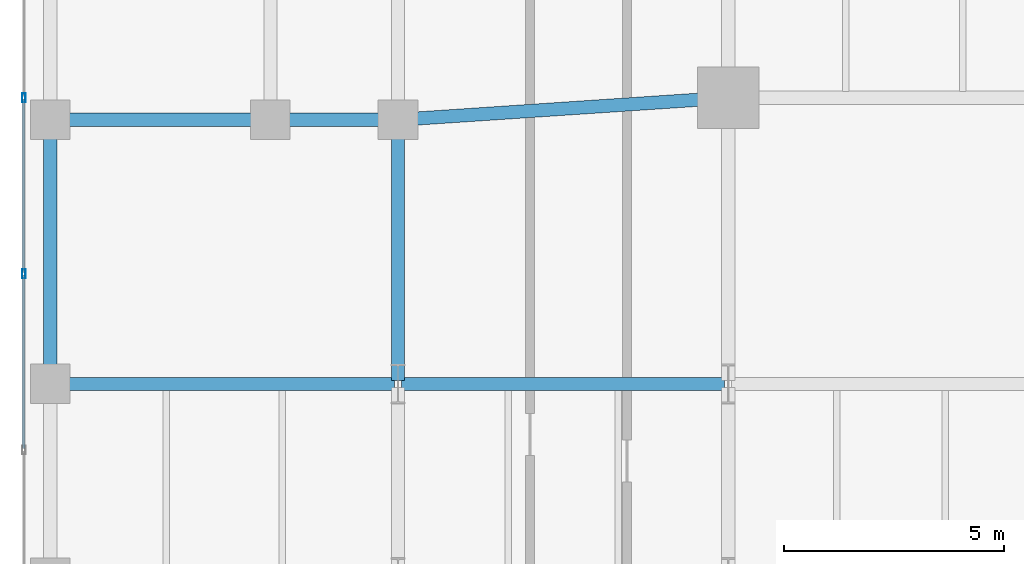
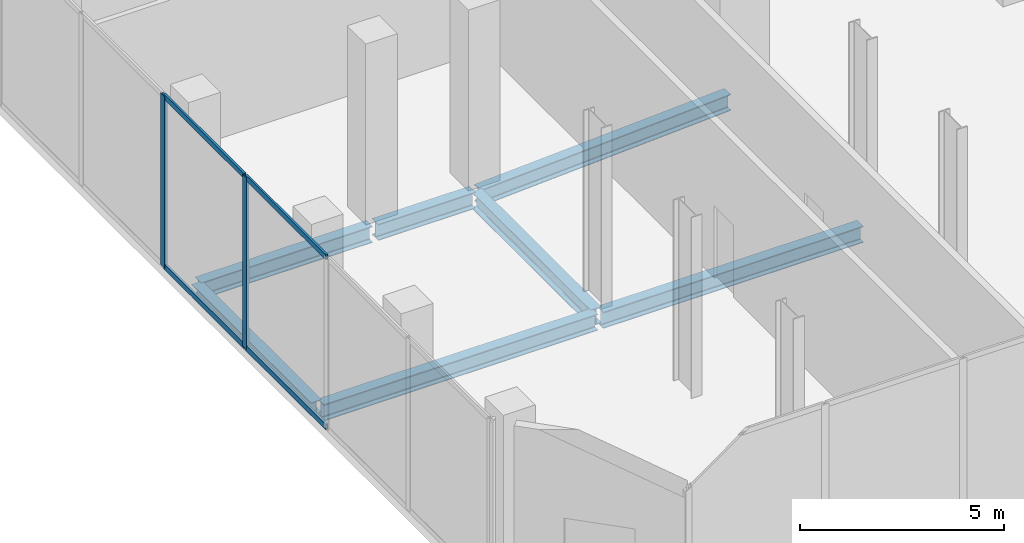
# One storey, part 6 of 24: 7 beams, 6 members, 1 element without a shape of its own.
"""IFC4 building model written with IfcOpenShell, lengths in metres."""

from ifc_helpers import new_model, si_unit, direction, frame, origin, origin_2d, place, context, subcontext, project, spatial, hollow_rectangle, i_section, extrude, material, layer, layer_set, material_profile, profile_set, type_object, element, aggregate, save


model = new_model("IFC4")

# Units and contexts
model_context = context("Model", 3, precision=1e-05, world=origin(), true_north=direction((0.0, 1.0)))
body_context = subcontext(model_context, "Body", "Model", "MODEL_VIEW")
ifc_project = project(units=[si_unit("LENGTHUNIT", "METRE"), si_unit("AREAUNIT", "SQUARE_METRE"), si_unit("VOLUMEUNIT", "CUBIC_METRE"), si_unit("PLANEANGLEUNIT", "RADIAN"), si_unit("MASSUNIT", "GRAM", prefix="KILO")], contexts=[model_context])

# Site, building, storey
site_placement = place(None, origin())
site = spatial("IfcSite", under=ifc_project, at=site_placement, CompositionType="ELEMENT")
building_placement = place(site_placement, origin())
building = spatial("IfcBuilding", under=site, at=building_placement, Name="Catumbela Crestline Tower", CompositionType="ELEMENT")
storey_placement = place(building_placement, frame((0.0, 0.0, 84.6)))
storey = spatial("IfcBuildingStorey", under=building, at=storey_placement, Name="L21", CompositionType="ELEMENT", Elevation=84.6)

# Beams
ifc_material_1 = material(Name="Structural steel S355J2", Category="steel")
ifc_material_profile_1 = material_profile(ifc_material_1, i_section(OverallWidth=0.3, OverallDepth=0.49, WebThickness=0.012, FlangeThickness=0.023, FilletRadius=0.027, at=origin_2d()), Name="HEA 500")
ifc_profile_set_1 = profile_set([ifc_material_profile_1], Name="Structural steel S355J2")
beam_type_1 = type_object("IfcBeamType", Name="BG-HEA500", PredefinedType="BEAM", material=ifc_profile_set_1)
beam_1_placement = place(storey_placement, frame((0.68, 24.0, -0.595), z_axis=(1.0, 0.0, 0.0), x_axis=(0.0, 1.0, 0.0)))
element("IfcBeam", 1, at=beam_1_placement, inside=storey, type_object=beam_type_1, Name="L21 Beam BM-L21-S01", PredefinedType="BEAM", context=body_context, shape_type="SweptSolid", body=[
    extrude(i_section(OverallWidth=0.3, OverallDepth=0.49, WebThickness=0.012, FlangeThickness=0.023, FilletRadius=0.027, at=origin_2d()), origin(), (0.0, 0.0, 1.0), 4.84),
])
beam_2_placement = place(storey_placement, frame((5.68, 24.0, -0.595), z_axis=(1.0, 0.0, 0.0), x_axis=(0.0, 1.0, 0.0)))
element("IfcBeam", 2, at=beam_2_placement, inside=storey, type_object=beam_type_1, Name="L21 Beam BM-L21-S02", PredefinedType="BEAM", context=body_context, shape_type="SweptSolid", body=[
    extrude(i_section(OverallWidth=0.3, OverallDepth=0.49, WebThickness=0.012, FlangeThickness=0.023, FilletRadius=0.027, at=origin_2d()), origin(), (0.0, 0.0, 1.0), 2.74),
])
beam_3_placement = place(storey_placement, frame((8.5798, 24.0053, -0.595), z_axis=(0.997784796964, 0.066524423687, 0.0), x_axis=(-0.066524423687, 0.997784796964, 0.0)))
element("IfcBeam", 3, at=beam_3_placement, inside=storey, type_object=beam_type_1, Name="L21 Beam BM-L21-S03", PredefinedType="BEAM", context=body_context, shape_type="SweptSolid", body=[
    extrude(i_section(OverallWidth=0.3, OverallDepth=0.49, WebThickness=0.012, FlangeThickness=0.023, FilletRadius=0.027, at=origin_2d()), origin(), (0.0, 0.0, 1.0), 7.3567),
])
beam_4_placement = place(storey_placement, frame((0.68, 18.0, -0.595), z_axis=(1.0, 0.0, 0.0), x_axis=(0.0, 1.0, 0.0)))
element("IfcBeam", 4, at=beam_4_placement, inside=storey, type_object=beam_type_1, Name="L21 Beam BM-L21-WEW49", PredefinedType="BEAM", context=body_context, shape_type="SweptSolid", body=[
    extrude(i_section(OverallWidth=0.3, OverallDepth=0.49, WebThickness=0.012, FlangeThickness=0.023, FilletRadius=0.027, at=origin_2d()), origin(), (0.0, 0.0, 1.0), 7.74),
])
beam_5_placement = place(storey_placement, frame((8.58, 18.0, -0.595), z_axis=(1.0, 0.0, 0.0), x_axis=(0.0, 1.0, 0.0)))
element("IfcBeam", 5, at=beam_5_placement, inside=storey, type_object=beam_type_1, Name="L21 Beam BM-L21-WEW50", PredefinedType="BEAM", context=body_context, shape_type="SweptSolid", body=[
    extrude(i_section(OverallWidth=0.3, OverallDepth=0.49, WebThickness=0.012, FlangeThickness=0.023, FilletRadius=0.027, at=origin_2d()), origin(), (0.0, 0.0, 1.0), 7.34),
])
beam_6_placement = place(storey_placement, frame((8.5, 18.08, -0.595), z_axis=(0.0, 1.0, 0.0), x_axis=(-1.0, 0.0, 0.0)))
element("IfcBeam", 6, at=beam_6_placement, inside=storey, type_object=beam_type_1, Name="L21 Beam BM-L21-WNS57", PredefinedType="BEAM", context=body_context, shape_type="SweptSolid", body=[
    extrude(i_section(OverallWidth=0.3, OverallDepth=0.49, WebThickness=0.012, FlangeThickness=0.023, FilletRadius=0.027, at=origin_2d()), origin(), (0.0, 0.0, 1.0), 5.84),
])

# Curtain wall, members
ifc_material_2 = material(Name="Aluminium alloy AW-6060-T66", Category="aluminium")
ifc_layer = layer(ifc_material_2, 0.18, Name="Aluminium alloy AW-6060-T66")
ifc_layer_set = layer_set([ifc_layer], Name="Aluminium alloy AW-6060-T66")
curtain_wall_type = type_object("IfcCurtainWallType", Name="CWU-SKY", PredefinedType="USERDEFINED", material=ifc_layer_set)
curtain_wall_placement = place(storey_placement, origin())
curtain_wall = element("IfcCurtainWall", 7, at=curtain_wall_placement, inside=storey, type_object=curtain_wall_type, Name="L21 Unitised Curtain Wall CW-L21-E9S1", ObjectType="UNITISED", PredefinedType="USERDEFINED")
ifc_material_profile_2 = material_profile(ifc_material_2, hollow_rectangle(XDim=0.075, YDim=0.2, WallThickness=0.005, at=origin_2d()), Name="ALU 200x75x5")
ifc_profile_set_2 = profile_set([ifc_material_profile_2], Name="Aluminium alloy AW-6060-T66")
member_type_1 = type_object("IfcMemberType", Name="MUL-200X75", PredefinedType="MULLION", material=ifc_profile_set_2)
member_1_placement = place(storey_placement, frame((0.0, 24.5, 0.0), z_axis=(0.0, 0.0, 1.0), x_axis=(1.0, 0.0, 0.0)))
member_1 = element("IfcMember", 8, at=member_1_placement, type_object=member_type_1, Name="CWU-SKY mullion 6", PredefinedType="MULLION", context=body_context, shape_type="SweptSolid", body=[
    extrude(hollow_rectangle(XDim=0.075, YDim=0.2, WallThickness=0.005, at=origin_2d()), origin(), (0.0, 0.0, 1.0), 5.13),
])
member_2_placement = place(storey_placement, frame((0.0, 20.5, 0.0), z_axis=(0.0, 0.0, 1.0), x_axis=(1.0, 0.0, 0.0)))
member_2 = element("IfcMember", 9, at=member_2_placement, type_object=member_type_1, Name="CWU-SKY mullion 7", PredefinedType="MULLION", context=body_context, shape_type="SweptSolid", body=[
    extrude(hollow_rectangle(XDim=0.075, YDim=0.2, WallThickness=0.005, at=origin_2d()), origin(), (0.0, 0.0, 1.0), 5.13),
])

# Beam
ifc_material_profile_3 = material_profile(ifc_material_1, i_section(OverallWidth=0.3, OverallDepth=0.4, WebThickness=0.0135, FlangeThickness=0.024, FilletRadius=0.027, at=origin_2d()), Name="HEB 400")
ifc_profile_set_3 = profile_set([ifc_material_profile_3], Name="Structural steel S355J2")
beam_type_2 = type_object("IfcBeamType", Name="BS-HEB400", PredefinedType="SPANDREL", material=ifc_profile_set_3)
beam_7_placement = place(storey_placement, frame((0.6, 18.08, -0.55), z_axis=(0.0, 1.0, 0.0), x_axis=(-1.0, 0.0, 0.0)))
element("IfcBeam", 10, at=beam_7_placement, inside=storey, type_object=beam_type_2, Name="L21 Spandrel SP-L21-WNS54", PredefinedType="SPANDREL", context=body_context, shape_type="SweptSolid", body=[
    extrude(i_section(OverallWidth=0.3, OverallDepth=0.4, WebThickness=0.0135, FlangeThickness=0.024, FilletRadius=0.027, at=origin_2d()), origin(), (0.0, 0.0, 1.0), 5.84),
])

# Member
ifc_material_profile_4 = material_profile(ifc_material_2, hollow_rectangle(XDim=0.06, YDim=0.16, WallThickness=0.004, at=origin_2d()), Name="ALU 160x60x4")
ifc_profile_set_4 = profile_set([ifc_material_profile_4], Name="Aluminium alloy AW-6060-T66")
member_type_2 = type_object("IfcMemberType", Name="TRN-160X60", PredefinedType="USERDEFINED", material=ifc_profile_set_4)
member_3_placement = place(storey_placement, frame((0.0, 24.4675, 0.03), z_axis=(0.0, -1.0, 0.0), x_axis=(1.0, 0.0, 0.0)))
member_3 = element("IfcMember", 11, at=member_3_placement, type_object=member_type_2, Name="CWU-SKY transom 6.1", ObjectType="TRANSOM", PredefinedType="USERDEFINED", context=body_context, shape_type="SweptSolid", body=[
    extrude(hollow_rectangle(XDim=0.06, YDim=0.16, WallThickness=0.004, at=origin_2d()), origin(), (0.0, 0.0, 1.0), 3.935),
])

member_4_placement = place(storey_placement, frame((0.0, 24.4675, 5.1), z_axis=(0.0, -1.0, 0.0), x_axis=(1.0, 0.0, 0.0)))
member_4 = element("IfcMember", 12, at=member_4_placement, type_object=member_type_2, Name="CWU-SKY transom 6.2", ObjectType="TRANSOM", PredefinedType="USERDEFINED", context=body_context, shape_type="SweptSolid", body=[
    extrude(hollow_rectangle(XDim=0.06, YDim=0.16, WallThickness=0.004, at=origin_2d()), origin(), (0.0, 0.0, 1.0), 3.935),
])

member_5_placement = place(storey_placement, frame((0.0, 20.4675, 0.03), z_axis=(0.0, -1.0, 0.0), x_axis=(1.0, 0.0, 0.0)))
member_5 = element("IfcMember", 13, at=member_5_placement, type_object=member_type_2, Name="CWU-SKY transom 7.1", ObjectType="TRANSOM", PredefinedType="USERDEFINED", context=body_context, shape_type="SweptSolid", body=[
    extrude(hollow_rectangle(XDim=0.06, YDim=0.16, WallThickness=0.004, at=origin_2d()), origin(), (0.0, 0.0, 1.0), 3.935),
])

member_6_placement = place(storey_placement, frame((0.0, 20.4675, 5.1), z_axis=(0.0, -1.0, 0.0), x_axis=(1.0, 0.0, 0.0)))
member_6 = element("IfcMember", 14, at=member_6_placement, type_object=member_type_2, Name="CWU-SKY transom 7.2", ObjectType="TRANSOM", PredefinedType="USERDEFINED", context=body_context, shape_type="SweptSolid", body=[
    extrude(hollow_rectangle(XDim=0.06, YDim=0.16, WallThickness=0.004, at=origin_2d()), origin(), (0.0, 0.0, 1.0), 3.935),
])

aggregate(curtain_wall, [member_1, member_2, member_3, member_4, member_5, member_6])

save(model, "model.ifc")
